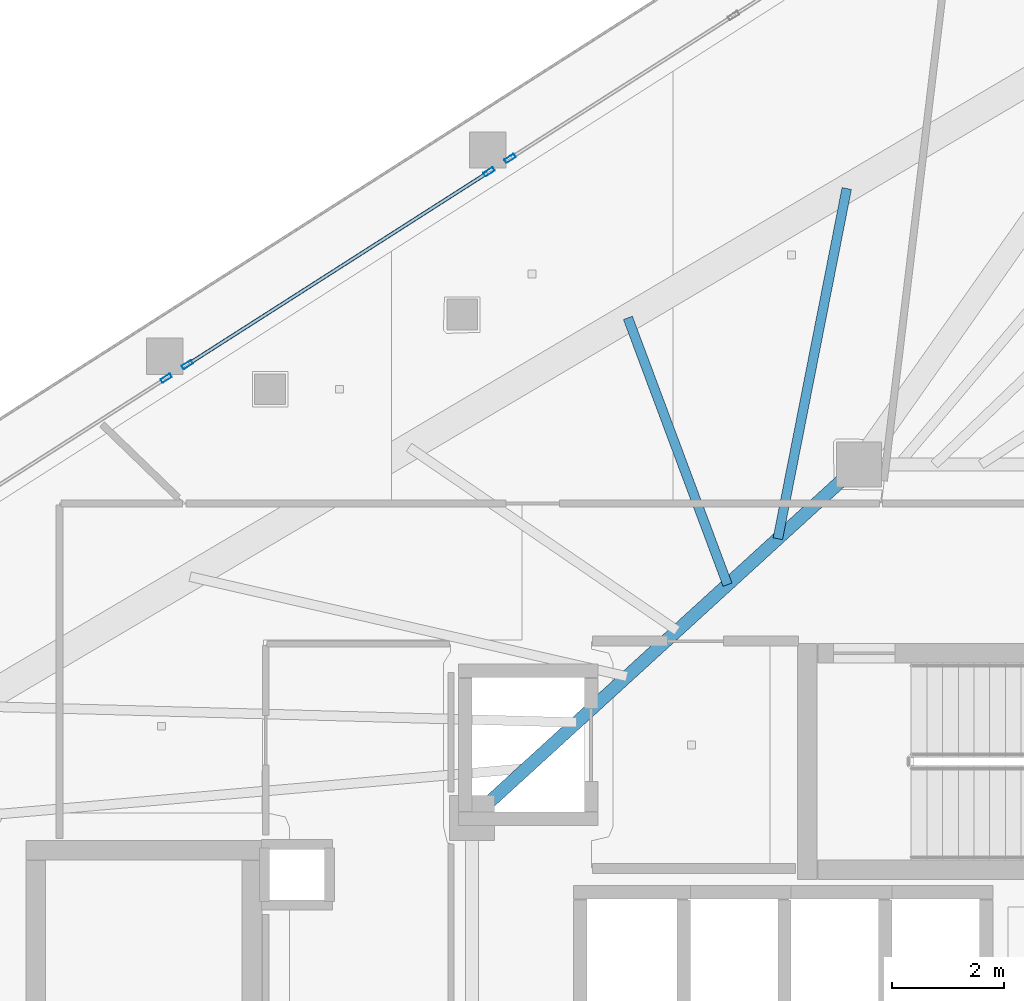
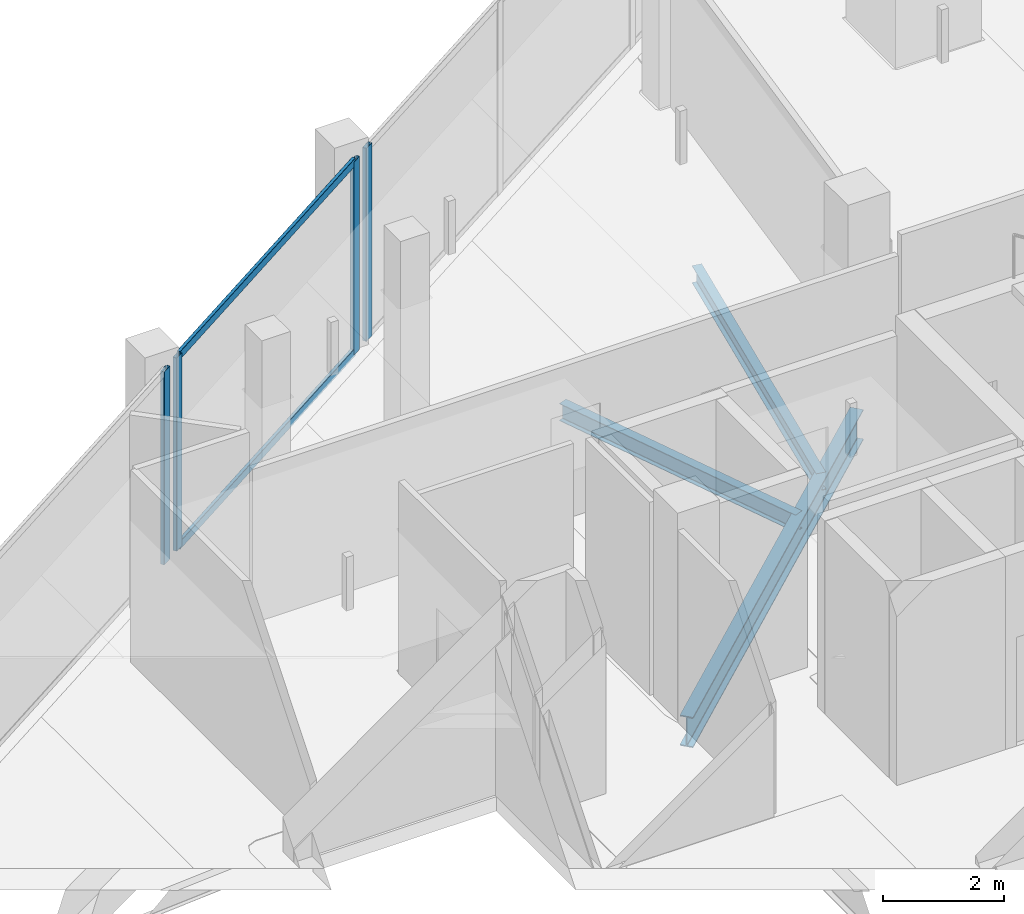
# One storey, part 13 of 31: 6 members, 3 beams, 3 elements without a shape of their own.
"""IFC4 building model written with IfcOpenShell, lengths in metres."""

from ifc_helpers import new_model, si_unit, direction, frame, origin, origin_2d, place, context, subcontext, project, spatial, hollow_rectangle, i_section, extrude, material, layer, layer_set, material_profile, profile_set, type_object, element, aggregate, save


model = new_model("IFC4")

# Units and contexts
model_context = context("Model", 3, precision=1e-05, world=origin(), true_north=direction((0.0, 1.0)))
body_context = subcontext(model_context, "Body", "Model", "MODEL_VIEW")
ifc_project = project(units=[si_unit("LENGTHUNIT", "METRE"), si_unit("AREAUNIT", "SQUARE_METRE"), si_unit("VOLUMEUNIT", "CUBIC_METRE"), si_unit("PLANEANGLEUNIT", "RADIAN"), si_unit("MASSUNIT", "GRAM", prefix="KILO")], contexts=[model_context])

# Site, building, storey
site_placement = place(None, origin())
site = spatial("IfcSite", under=ifc_project, at=site_placement, CompositionType="ELEMENT")
building_placement = place(site_placement, origin())
building = spatial("IfcBuilding", under=site, at=building_placement, Name="Qorvath Tower", CompositionType="ELEMENT")
storey_placement = place(building_placement, frame((0.0, 0.0, 259.800048828125)))
storey = spatial("IfcBuildingStorey", under=building, at=storey_placement, Name="L60", CompositionType="ELEMENT", Elevation=259.800048828125)

# Beams
ifc_material_1 = material(Name="Steel ASTM A992 Grade 50", Category="steel")
ifc_material_profile_1 = material_profile(ifc_material_1, i_section(OverallWidth=0.22998046875, OverallDepth=0.616943359375, WebThickness=0.01318359375, FlangeThickness=0.022216796875, FilletRadius=0.014892578125, at=origin_2d()), Name="W24x94")
ifc_profile_set_1 = profile_set([ifc_material_profile_1], Name="Steel ASTM A992 Grade 50")
beam_type_1 = type_object("IfcBeamType", Name="BM-FG6", PredefinedType="BEAM", material=ifc_profile_set_1)
beam_1_placement = place(storey_placement, frame((-30.5, 5.14990234375, -0.5986328125), z_axis=(0.73847813985, 0.6742774184, 0.0), x_axis=(-0.6742774184, 0.73847813985, 0.0)))
element("IfcBeam", 1, at=beam_1_placement, inside=storey, type_object=beam_type_1, Name="Core Ring Girder CC5-CC1 L60", PredefinedType="BEAM", context=body_context, shape_type="SweptSolid", body=[
    extrude(i_section(OverallWidth=0.22998046875, OverallDepth=0.616943359375, WebThickness=0.01318359375, FlangeThickness=0.022216796875, FilletRadius=0.014892578125, at=origin_2d()), origin(), (0.0, 0.0, 1.0), 9.343505859375),
])
ifc_material_2 = material(Name="Steel ASTM A992 Grade 50", Category="steel")
ifc_material_profile_2 = material_profile(ifc_material_2, i_section(OverallWidth=0.1708984375, OverallDepth=0.35107421875, WebThickness=0.0068359375, FlangeThickness=0.009765625, FilletRadius=0.010009765625, at=origin_2d()), Name="W14x30")
ifc_profile_set_2 = profile_set([ifc_material_profile_2], Name="Steel ASTM A992 Grade 50")
beam_type_2 = type_object("IfcBeamType", Name="BM-FJ4", PredefinedType="JOIST", material=ifc_profile_set_2)
beam_2_placement = place(storey_placement, frame((-25.946044921875, 9.30810546875, -0.465576171875), z_axis=(-0.349858795354, 0.936802446257, 0.0), x_axis=(-0.936802446257, -0.349858795354, 0.0)))
element("IfcBeam", 2, at=beam_2_placement, inside=storey, type_object=beam_type_2, Name="Composite Floor Joist NW5 L60", PredefinedType="JOIST", context=body_context, shape_type="SweptSolid", body=[
    extrude(i_section(OverallWidth=0.1708984375, OverallDepth=0.35107421875, WebThickness=0.0068359375, FlangeThickness=0.009765625, FilletRadius=0.010009765625, at=origin_2d()), origin(), (0.0, 0.0, 1.0), 5.078857421875),
])
beam_3_placement = place(storey_placement, frame((-25.049072265625, 10.126953125, -0.465576171875), z_axis=(0.193040016911, 0.981190884523, 0.0), x_axis=(-0.981190884523, 0.193040016911, 0.0)))
element("IfcBeam", 3, at=beam_3_placement, inside=storey, type_object=beam_type_2, Name="Composite Floor Joist NW6 L60", PredefinedType="JOIST", context=body_context, shape_type="SweptSolid", body=[
    extrude(i_section(OverallWidth=0.1708984375, OverallDepth=0.35107421875, WebThickness=0.0068359375, FlangeThickness=0.009765625, FilletRadius=0.010009765625, at=origin_2d()), origin(), (0.0, 0.0, 1.0), 6.366455078125),
])

# Curtain wall, member
ifc_material_3 = material(Name="Anodised aluminium and triple low-E glass", Category="aluminium")
ifc_layer = layer(ifc_material_3, 0.179931640625)
ifc_layer_set = layer_set([ifc_layer], Name="CW-SYS-4")
curtain_wall_type = type_object("IfcCurtainWallType", Name="CW-SYS-4", PredefinedType="NOTDEFINED", material=ifc_layer_set)
curtain_wall_1_placement = place(storey_placement, origin())
curtain_wall_1 = element("IfcCurtainWall", 4, at=curtain_wall_1_placement, inside=storey, type_object=curtain_wall_type, Name="Curtain Wall CW-4 CW-T-L60-16.1", PredefinedType="NOTDEFINED")
ifc_material_4 = material(Name="Anodised aluminium 6063-T6", Category="aluminium")
ifc_material_profile_3 = material_profile(ifc_material_4, hollow_rectangle(XDim=0.074951171875, YDim=0.199951171875, WallThickness=0.00390625, InnerFilletRadius=0.00390625, OuterFilletRadius=0.008056640625, at=origin_2d()), Name="CWM 200x75")
ifc_profile_set_3 = profile_set([ifc_material_profile_3], Name="Anodised aluminium 6063-T6")
member_type_1 = type_object("IfcMemberType", Name="CWM-200", PredefinedType="MULLION", material=ifc_profile_set_3)
member_1_placement = place(storey_placement, frame((-29.823486328125, 16.91015625, 0.0), z_axis=(0.0, 0.0, 1.0), x_axis=(0.538522903218, -0.842610872651, 0.0)))
member_1 = element("IfcMember", 5, at=member_1_placement, type_object=member_type_1, Name="CW-4 mullion 4", PredefinedType="MULLION", context=body_context, shape_type="SweptSolid", body=[
    extrude(hollow_rectangle(XDim=0.074951171875, YDim=0.199951171875, WallThickness=0.00390625, InnerFilletRadius=0.00390625, OuterFilletRadius=0.008056640625, at=origin_2d()), origin(), (0.0, 0.0, 1.0), 3.909912109375),
])
aggregate(curtain_wall_1, [member_1])

# Curtain wall, members
curtain_wall_2_placement = place(storey_placement, origin())
curtain_wall_2 = element("IfcCurtainWall", 6, at=curtain_wall_2_placement, inside=storey, type_object=curtain_wall_type, Name="Curtain Wall CW-4 CW-T-L60-16.2", PredefinedType="NOTDEFINED")
member_2_placement = place(storey_placement, frame((-30.19970703125, 16.66943359375, 0.0), z_axis=(0.0, 0.0, 1.0), x_axis=(0.538544411218, -0.842597126239, 0.0)))
member_2 = element("IfcMember", 7, at=member_2_placement, type_object=member_type_1, Name="CW-4 mullion 1", PredefinedType="MULLION", context=body_context, shape_type="SweptSolid", body=[
    extrude(hollow_rectangle(XDim=0.074951171875, YDim=0.199951171875, WallThickness=0.00390625, InnerFilletRadius=0.00390625, OuterFilletRadius=0.008056640625, at=origin_2d()), origin(), (0.0, 0.0, 1.0), 3.909912109375),
])
member_3_placement = place(storey_placement, frame((-35.5791015625, 13.2314453125, 0.0), z_axis=(0.0, 0.0, 1.0), x_axis=(0.538544411218, -0.842597126239, 0.0)))
member_3 = element("IfcMember", 8, at=member_3_placement, type_object=member_type_1, Name="CW-4 mullion 2", PredefinedType="MULLION", context=body_context, shape_type="SweptSolid", body=[
    extrude(hollow_rectangle(XDim=0.074951171875, YDim=0.199951171875, WallThickness=0.00390625, InnerFilletRadius=0.00390625, OuterFilletRadius=0.008056640625, at=origin_2d()), origin(), (0.0, 0.0, 1.0), 3.909912109375),
])

# Curtain wall, member
curtain_wall_3_placement = place(storey_placement, origin())
curtain_wall_3 = element("IfcCurtainWall", 9, at=curtain_wall_3_placement, inside=storey, type_object=curtain_wall_type, Name="Curtain Wall CW-4 CW-T-L60-16.3", PredefinedType="NOTDEFINED")
member_4_placement = place(storey_placement, frame((-35.955322265625, 12.99072265625, 0.0), z_axis=(0.0, 0.0, 1.0), x_axis=(0.538533165876, -0.842604313573, 0.0)))
member_4 = element("IfcMember", 10, at=member_4_placement, type_object=member_type_1, Name="CW-4 mullion 1", PredefinedType="MULLION", context=body_context, shape_type="SweptSolid", body=[
    extrude(hollow_rectangle(XDim=0.074951171875, YDim=0.199951171875, WallThickness=0.00390625, InnerFilletRadius=0.00390625, OuterFilletRadius=0.008056640625, at=origin_2d()), origin(), (0.0, 0.0, 1.0), 3.909912109375),
])
aggregate(curtain_wall_3, [member_4])

# Member
ifc_material_5 = material(Name="Anodised aluminium 6063-T6", Category="aluminium")
ifc_material_profile_4 = material_profile(ifc_material_5, hollow_rectangle(XDim=0.06494140625, YDim=0.159912109375, WallThickness=0.00341796875, InnerFilletRadius=0.00341796875, OuterFilletRadius=0.007080078125, at=origin_2d()), Name="CWT 160x65")
ifc_profile_set_4 = profile_set([ifc_material_profile_4], Name="Anodised aluminium 6063-T6")
member_type_2 = type_object("IfcMemberType", Name="CWT-160", PredefinedType="USERDEFINED", material=ifc_profile_set_4)
member_5_placement = place(storey_placement, frame((-30.2314453125, 16.6494140625, 0.032470703125), z_axis=(-0.842593829389, -0.538549569377, 0.0), x_axis=(0.538549569377, -0.842593829389, 0.0)))
member_5 = element("IfcMember", 11, at=member_5_placement, type_object=member_type_2, Name="CW-4 transom 1.1", ObjectType="TRANSOM", PredefinedType="USERDEFINED", context=body_context, shape_type="SweptSolid", body=[
    extrude(hollow_rectangle(XDim=0.06494140625, YDim=0.159912109375, WallThickness=0.00341796875, InnerFilletRadius=0.00341796875, OuterFilletRadius=0.007080078125, at=origin_2d()), origin(), (0.0, 0.0, 1.0), 6.30908203125),
])

member_6_placement = place(storey_placement, frame((-30.2314453125, 16.6494140625, 3.87744140625), z_axis=(-0.842593829389, -0.538549569377, 0.0), x_axis=(0.538549569377, -0.842593829389, 0.0)))
member_6 = element("IfcMember", 12, at=member_6_placement, type_object=member_type_2, Name="CW-4 transom 1.2", ObjectType="TRANSOM", PredefinedType="USERDEFINED", context=body_context, shape_type="SweptSolid", body=[
    extrude(hollow_rectangle(XDim=0.06494140625, YDim=0.159912109375, WallThickness=0.00341796875, InnerFilletRadius=0.00341796875, OuterFilletRadius=0.007080078125, at=origin_2d()), origin(), (0.0, 0.0, 1.0), 6.30908203125),
])

aggregate(curtain_wall_2, [member_2, member_3, member_5, member_6])

save(model, "model.ifc")
